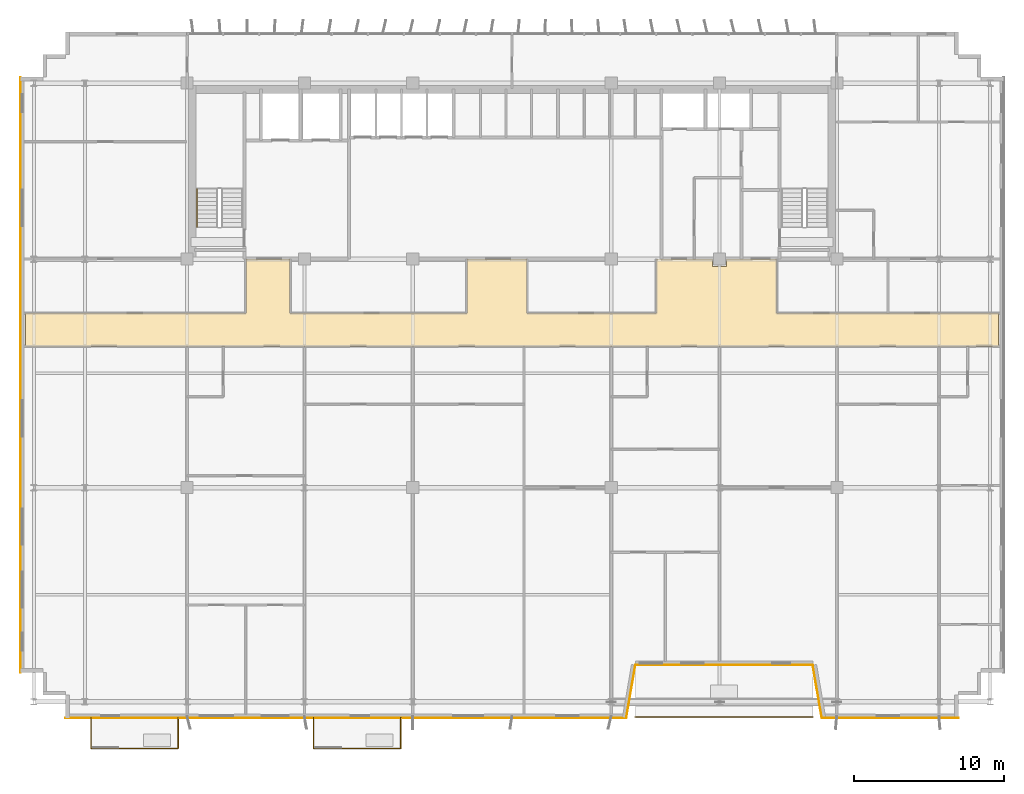
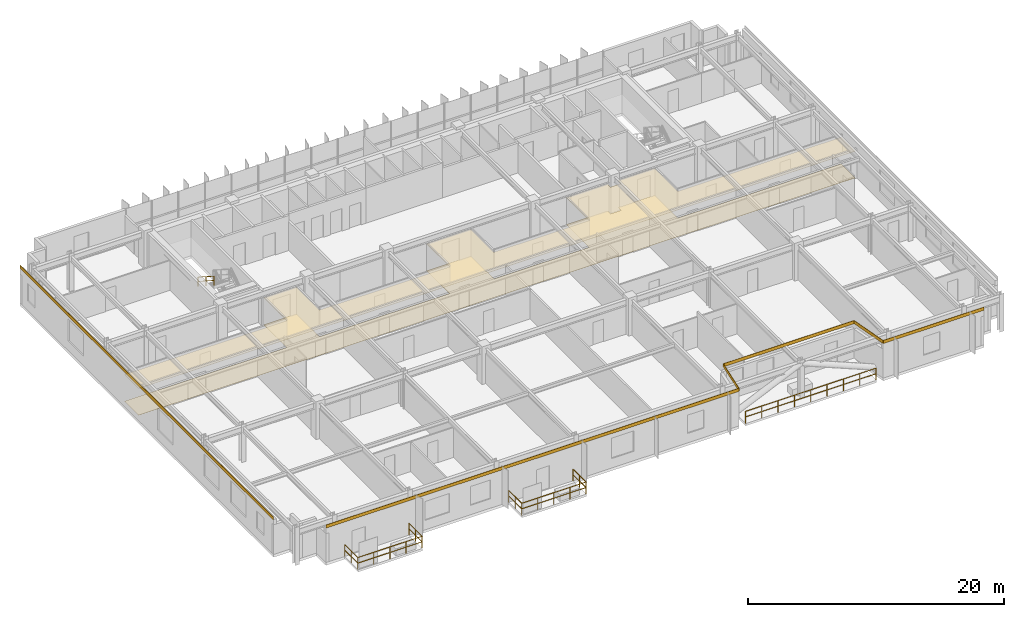
# One storey, part 20 of 22: 8 coverings, 8 railings.
"""IFC4 building model written with IfcOpenShell, lengths in metres."""

from ifc_helpers import new_model, si_unit, direction, frame, origin, origin_2d, place, context, subcontext, project, spatial, polyline, rectangle, outline, extrude, source, transform, mapped, material, layer, layer_set, type_object, element, save


model = new_model("IFC4")

# Units and contexts
model_context = context("Model", 3, precision=1e-05, world=origin(), true_north=direction((0.0, 1.0)))
body_context = subcontext(model_context, "Body", "Model", "MODEL_VIEW")
ifc_project = project(units=[si_unit("LENGTHUNIT", "METRE"), si_unit("AREAUNIT", "SQUARE_METRE"), si_unit("VOLUMEUNIT", "CUBIC_METRE"), si_unit("PLANEANGLEUNIT", "RADIAN"), si_unit("MASSUNIT", "GRAM", prefix="KILO")], contexts=[model_context])

# Site, building, storey
site_placement = place(None, origin())
site = spatial("IfcSite", under=ifc_project, at=site_placement, CompositionType="ELEMENT")
building_placement = place(site_placement, origin())
building = spatial("IfcBuilding", under=site, at=building_placement, Name="Trelvane Seafront Commons", CompositionType="ELEMENT")
storey_placement = place(building_placement, frame((0.0, 0.0, 121.300048828125)))
storey = spatial("IfcBuildingStorey", under=building, at=storey_placement, Name="L31", CompositionType="ELEMENT", Elevation=121.300048828125)

# Coverings
ifc_material_1 = material(Name="Acoustic Mineral Fibre Ceiling")
ifc_layer_1 = layer(ifc_material_1, 0.02490234375, Name="ARCH-COV-CEIL25")
ifc_layer_set_1 = layer_set([ifc_layer_1], Name="Acoustic Mineral Fibre Ceiling")
covering_type_1 = type_object("IfcCoveringType", Name="ARCH-COV-CEIL25", PredefinedType="CEILING", material=ifc_layer_set_1)
covering_1_placement = place(storey_placement, frame((0.0, 0.0, 2.550048828125)))
element("IfcCovering", 1, at=covering_1_placement, inside=storey, type_object=covering_type_1, Name="COV-CEIL-L31-14", PredefinedType="CEILING", context=body_context, shape_type="SweptSolid", body=[
    extrude(outline(polyline([(51.47998046875, 33.39990234375), (51.47998046875, 32.919921875), (50.52001953125, 32.919921875), (50.52001953125, 33.39990234375), (46.800048828125, 33.39990234375), (46.800048828125, 29.800048828125), (38.199951171875, 29.800048828125), (38.199951171875, 33.39990234375), (34.199951171875, 33.39990234375), (34.199951171875, 29.800048828125), (22.449951171875, 29.800048828125), (22.449951171875, 33.39990234375), (19.5, 33.39990234375), (19.5, 29.800048828125), (4.85009765625, 29.800048828125), (4.85009765625, 27.60009765625), (69.550048828125, 27.60009765625), (69.550048828125, 29.800048828125), (54.800048828125, 29.800048828125), (54.800048828125, 33.39990234375), (51.47998046875, 33.39990234375)])), origin(), (0.0, 0.0, 1.0), 0.02490234375),
])
ifc_material_2 = material(Name="Polished Terrazzo Finish")
ifc_layer_2 = layer(ifc_material_2, 0.02001953125, Name="ARCH-COV-FLOR20")
ifc_layer_set_2 = layer_set([ifc_layer_2], Name="Polished Terrazzo Finish")
covering_type_2 = type_object("IfcCoveringType", Name="ARCH-COV-FLOR20", PredefinedType="FLOORING", material=ifc_layer_set_2)
covering_2_placement = place(storey_placement, origin())
element("IfcCovering", 2, at=covering_2_placement, inside=storey, type_object=covering_type_2, Name="COV-FLOR-L31-14", PredefinedType="FLOORING", context=body_context, shape_type="SweptSolid", body=[
    extrude(outline(polyline([(51.47998046875, 33.39990234375), (51.47998046875, 32.919921875), (50.52001953125, 32.919921875), (50.52001953125, 33.39990234375), (46.800048828125, 33.39990234375), (46.800048828125, 29.800048828125), (38.199951171875, 29.800048828125), (38.199951171875, 33.39990234375), (34.199951171875, 33.39990234375), (34.199951171875, 29.800048828125), (22.449951171875, 29.800048828125), (22.449951171875, 33.39990234375), (19.5, 33.39990234375), (19.5, 29.800048828125), (4.85009765625, 29.800048828125), (4.85009765625, 27.60009765625), (69.550048828125, 27.60009765625), (69.550048828125, 29.800048828125), (54.800048828125, 29.800048828125), (54.800048828125, 33.39990234375), (51.47998046875, 33.39990234375)])), origin(), (0.0, 0.0, 1.0), 0.02001953125),
])

# Railings
ifc_material_3 = material(Name="Stainless steel balustrade", Category="steel")
railing_type_1 = type_object("IfcRailingType", Name="ARCH-RAIL-BAL1150", PredefinedType="BALUSTRADE", material=ifc_material_3)
railing_1_placement = place(storey_placement, frame((45.39990234375, 2.9599609375, 0.0)))
element("IfcRailing", 3, at=railing_1_placement, inside=storey, type_object=railing_type_1, Name="RL-L31-TR0-01", PredefinedType="BALUSTRADE", context=body_context, shape_type="SweptSolid", body=[
    extrude(rectangle(XDim=0.048095703125, YDim=0.048095703125, at=origin_2d()), frame((0.0, 0.0, 1.1259765625), z_axis=(1.0, 0.0, 0.0), x_axis=(0.0, 1.0, 0.0)), (0.0, 0.0, 1.0), 11.800048828125),
    extrude(rectangle(XDim=0.048095703125, YDim=0.048095703125, at=origin_2d()), frame((0.0, 0.0, 0.597900390625), z_axis=(1.0, 0.0, 0.0), x_axis=(0.0, 1.0, 0.0)), (0.0, 0.0, 1.0), 11.800048828125),
    extrude(rectangle(XDim=0.0419921875, YDim=0.0419921875, at=origin_2d()), origin(), (0.0, 0.0, 1.0), 1.1259765625),
    extrude(rectangle(XDim=0.0419921875, YDim=0.0419921875, at=origin_2d()), frame((1.47509765625, 0.0, 0.0)), (0.0, 0.0, 1.0), 1.1259765625),
    extrude(rectangle(XDim=0.0419921875, YDim=0.0419921875, at=origin_2d()), frame((2.949951171875, 0.0, 0.0)), (0.0, 0.0, 1.0), 1.1259765625),
    extrude(rectangle(XDim=0.0419921875, YDim=0.0419921875, at=origin_2d()), frame((4.425048828125, 0.0, 0.0)), (0.0, 0.0, 1.0), 1.1259765625),
    extrude(rectangle(XDim=0.0419921875, YDim=0.0419921875, at=origin_2d()), frame((5.89990234375, 0.0, 0.0)), (0.0, 0.0, 1.0), 1.1259765625),
    extrude(rectangle(XDim=0.0419921875, YDim=0.0419921875, at=origin_2d()), frame((7.375, 0.0, 0.0)), (0.0, 0.0, 1.0), 1.1259765625),
    extrude(rectangle(XDim=0.0419921875, YDim=0.0419921875, at=origin_2d()), frame((8.85009765625, 0.0, 0.0)), (0.0, 0.0, 1.0), 1.1259765625),
    extrude(rectangle(XDim=0.0419921875, YDim=0.0419921875, at=origin_2d()), frame((10.324951171875, 0.0, 0.0)), (0.0, 0.0, 1.0), 1.1259765625),
    extrude(rectangle(XDim=0.0419921875, YDim=0.0419921875, at=origin_2d()), frame((11.800048828125, 0.0, 0.0)), (0.0, 0.0, 1.0), 1.1259765625),
])
railing_2_placement = place(storey_placement, frame((9.199951171875, 2.89990234375, 0.0)))
element("IfcRailing", 4, at=railing_2_placement, inside=storey, type_object=railing_type_1, Name="RL-L31-BAL0-01", PredefinedType="BALUSTRADE", context=body_context, shape_type="SweptSolid", body=[
    extrude(rectangle(XDim=0.048095703125, YDim=0.048095703125, at=origin_2d()), frame((0.0, 0.0, 1.1259765625), z_axis=(0.0, -1.0, 0.0), x_axis=(1.0, 0.0, 0.0)), (0.0, 0.0, 1.0), 2.039794921875),
    extrude(rectangle(XDim=0.048095703125, YDim=0.048095703125, at=origin_2d()), frame((0.0, 0.0, 0.597900390625), z_axis=(0.0, -1.0, 0.0), x_axis=(1.0, 0.0, 0.0)), (0.0, 0.0, 1.0), 2.039794921875),
    extrude(rectangle(XDim=0.0419921875, YDim=0.0419921875, at=origin_2d()), origin(), (0.0, 0.0, 1.0), 1.1259765625),
    extrude(rectangle(XDim=0.0419921875, YDim=0.0419921875, at=origin_2d()), frame((0.0, -1.02001953125, 0.0)), (0.0, 0.0, 1.0), 1.1259765625),
    extrude(rectangle(XDim=0.0419921875, YDim=0.0419921875, at=origin_2d()), frame((0.0, -2.039794921875, 0.0)), (0.0, 0.0, 1.0), 1.1259765625),
])
railing_3_placement = place(storey_placement, frame((9.199951171875, 0.860107421875, 0.0)))
element("IfcRailing", 5, at=railing_3_placement, inside=storey, type_object=railing_type_1, Name="RL-L31-BAL0-02", PredefinedType="BALUSTRADE", context=body_context, shape_type="SweptSolid", body=[
    extrude(rectangle(XDim=0.048095703125, YDim=0.048095703125, at=origin_2d()), frame((0.0, 0.0, 1.1259765625), z_axis=(1.0, 0.0, 0.0), x_axis=(0.0, 1.0, 0.0)), (0.0, 0.0, 1.0), 5.800048828125),
    extrude(rectangle(XDim=0.048095703125, YDim=0.048095703125, at=origin_2d()), frame((0.0, 0.0, 0.597900390625), z_axis=(1.0, 0.0, 0.0), x_axis=(0.0, 1.0, 0.0)), (0.0, 0.0, 1.0), 5.800048828125),
    extrude(rectangle(XDim=0.0419921875, YDim=0.0419921875, at=origin_2d()), origin(), (0.0, 0.0, 1.0), 1.1259765625),
    extrude(rectangle(XDim=0.0419921875, YDim=0.0419921875, at=origin_2d()), frame((1.449951171875, 0.0, 0.0)), (0.0, 0.0, 1.0), 1.1259765625),
    extrude(rectangle(XDim=0.0419921875, YDim=0.0419921875, at=origin_2d()), frame((2.89990234375, 0.0, 0.0)), (0.0, 0.0, 1.0), 1.1259765625),
    extrude(rectangle(XDim=0.0419921875, YDim=0.0419921875, at=origin_2d()), frame((4.35009765625, 0.0, 0.0)), (0.0, 0.0, 1.0), 1.1259765625),
    extrude(rectangle(XDim=0.0419921875, YDim=0.0419921875, at=origin_2d()), frame((5.800048828125, 0.0, 0.0)), (0.0, 0.0, 1.0), 1.1259765625),
])
railing_4_placement = place(storey_placement, frame((15.0, 0.860107421875, 0.0)))
element("IfcRailing", 6, at=railing_4_placement, inside=storey, type_object=railing_type_1, Name="RL-L31-BAL0-03", PredefinedType="BALUSTRADE", context=body_context, shape_type="SweptSolid", body=[
    extrude(rectangle(XDim=0.048095703125, YDim=0.048095703125, at=origin_2d()), frame((0.0, 0.0, 1.1259765625), z_axis=(0.0, 1.0, 0.0), x_axis=(-1.0, 0.0, 0.0)), (0.0, 0.0, 1.0), 2.039794921875),
    extrude(rectangle(XDim=0.048095703125, YDim=0.048095703125, at=origin_2d()), frame((0.0, 0.0, 0.597900390625), z_axis=(0.0, 1.0, 0.0), x_axis=(-1.0, 0.0, 0.0)), (0.0, 0.0, 1.0), 2.039794921875),
    extrude(rectangle(XDim=0.0419921875, YDim=0.0419921875, at=origin_2d()), origin(), (0.0, 0.0, 1.0), 1.1259765625),
    extrude(rectangle(XDim=0.0419921875, YDim=0.0419921875, at=origin_2d()), frame((0.0, 1.02001953125, 0.0)), (0.0, 0.0, 1.0), 1.1259765625),
    extrude(rectangle(XDim=0.0419921875, YDim=0.0419921875, at=origin_2d()), frame((0.0, 2.039794921875, 0.0)), (0.0, 0.0, 1.0), 1.1259765625),
])
railing_5_placement = place(storey_placement, frame((24.0, 2.89990234375, 0.0)))
element("IfcRailing", 7, at=railing_5_placement, inside=storey, type_object=railing_type_1, Name="RL-L31-BAL1-01", PredefinedType="BALUSTRADE", context=body_context, shape_type="SweptSolid", body=[
    extrude(rectangle(XDim=0.048095703125, YDim=0.048095703125, at=origin_2d()), frame((0.0, 0.0, 1.1259765625), z_axis=(0.0, -1.0, 0.0), x_axis=(1.0, 0.0, 0.0)), (0.0, 0.0, 1.0), 2.039794921875),
    extrude(rectangle(XDim=0.048095703125, YDim=0.048095703125, at=origin_2d()), frame((0.0, 0.0, 0.597900390625), z_axis=(0.0, -1.0, 0.0), x_axis=(1.0, 0.0, 0.0)), (0.0, 0.0, 1.0), 2.039794921875),
    extrude(rectangle(XDim=0.0419921875, YDim=0.0419921875, at=origin_2d()), origin(), (0.0, 0.0, 1.0), 1.1259765625),
    extrude(rectangle(XDim=0.0419921875, YDim=0.0419921875, at=origin_2d()), frame((0.0, -1.02001953125, 0.0)), (0.0, 0.0, 1.0), 1.1259765625),
    extrude(rectangle(XDim=0.0419921875, YDim=0.0419921875, at=origin_2d()), frame((0.0, -2.039794921875, 0.0)), (0.0, 0.0, 1.0), 1.1259765625),
])
railing_6_placement = place(storey_placement, frame((24.0, 0.860107421875, 0.0)))
element("IfcRailing", 8, at=railing_6_placement, inside=storey, type_object=railing_type_1, Name="RL-L31-BAL1-02", PredefinedType="BALUSTRADE", context=body_context, shape_type="SweptSolid", body=[
    extrude(rectangle(XDim=0.048095703125, YDim=0.048095703125, at=origin_2d()), frame((0.0, 0.0, 1.1259765625), z_axis=(1.0, 0.0, 0.0), x_axis=(0.0, 1.0, 0.0)), (0.0, 0.0, 1.0), 5.800048828125),
    extrude(rectangle(XDim=0.048095703125, YDim=0.048095703125, at=origin_2d()), frame((0.0, 0.0, 0.597900390625), z_axis=(1.0, 0.0, 0.0), x_axis=(0.0, 1.0, 0.0)), (0.0, 0.0, 1.0), 5.800048828125),
    extrude(rectangle(XDim=0.0419921875, YDim=0.0419921875, at=origin_2d()), origin(), (0.0, 0.0, 1.0), 1.1259765625),
    extrude(rectangle(XDim=0.0419921875, YDim=0.0419921875, at=origin_2d()), frame((1.449951171875, 0.0, 0.0)), (0.0, 0.0, 1.0), 1.1259765625),
    extrude(rectangle(XDim=0.0419921875, YDim=0.0419921875, at=origin_2d()), frame((2.89990234375, 0.0, 0.0)), (0.0, 0.0, 1.0), 1.1259765625),
    extrude(rectangle(XDim=0.0419921875, YDim=0.0419921875, at=origin_2d()), frame((4.35009765625, 0.0, 0.0)), (0.0, 0.0, 1.0), 1.1259765625),
    extrude(rectangle(XDim=0.0419921875, YDim=0.0419921875, at=origin_2d()), frame((5.800048828125, 0.0, 0.0)), (0.0, 0.0, 1.0), 1.1259765625),
])
railing_7_placement = place(storey_placement, frame((29.800048828125, 0.860107421875, 0.0)))
element("IfcRailing", 9, at=railing_7_placement, inside=storey, type_object=railing_type_1, Name="RL-L31-BAL1-03", PredefinedType="BALUSTRADE", context=body_context, shape_type="SweptSolid", body=[
    extrude(rectangle(XDim=0.048095703125, YDim=0.048095703125, at=origin_2d()), frame((0.0, 0.0, 1.1259765625), z_axis=(0.0, 1.0, 0.0), x_axis=(-1.0, 0.0, 0.0)), (0.0, 0.0, 1.0), 2.039794921875),
    extrude(rectangle(XDim=0.048095703125, YDim=0.048095703125, at=origin_2d()), frame((0.0, 0.0, 0.597900390625), z_axis=(0.0, 1.0, 0.0), x_axis=(-1.0, 0.0, 0.0)), (0.0, 0.0, 1.0), 2.039794921875),
    extrude(rectangle(XDim=0.0419921875, YDim=0.0419921875, at=origin_2d()), origin(), (0.0, 0.0, 1.0), 1.1259765625),
    extrude(rectangle(XDim=0.0419921875, YDim=0.0419921875, at=origin_2d()), frame((0.0, 1.02001953125, 0.0)), (0.0, 0.0, 1.0), 1.1259765625),
    extrude(rectangle(XDim=0.0419921875, YDim=0.0419921875, at=origin_2d()), frame((0.0, 2.039794921875, 0.0)), (0.0, 0.0, 1.0), 1.1259765625),
])
railing_type_2 = type_object("IfcRailingType", Name="ARCH-SRL-HAND", PredefinedType="HANDRAIL", material=ifc_material_3)
railing_8_placement = place(storey_placement, frame((16.25, 38.070068359375, 1.97998046875)))
element("IfcRailing", 10, at=railing_8_placement, inside=storey, type_object=railing_type_2, Name="L31 ST-1 stair handrail 2", PredefinedType="HANDRAIL", context=body_context, shape_type="SweptSolid", body=[
    extrude(rectangle(XDim=0.048095703125, YDim=0.048095703125, at=origin_2d()), frame((0.0, 0.0, 0.8759765625), z_axis=(0.0, -0.841199657755, 0.540724639528), x_axis=(1.0, 0.0, 0.0)), (0.0, 0.0, 1.0), 2.995849609375),
    extrude(rectangle(XDim=0.048095703125, YDim=0.048095703125, at=origin_2d()), frame((0.0, 0.0, 0.468017578125), z_axis=(0.0, -0.841199657755, 0.540724639528), x_axis=(1.0, 0.0, 0.0)), (0.0, 0.0, 1.0), 2.995849609375),
    extrude(rectangle(XDim=0.0419921875, YDim=0.0419921875, at=origin_2d()), origin(), (0.0, 0.0, 1.0), 0.8759765625),
    extrude(rectangle(XDim=0.0419921875, YDim=0.0419921875, at=origin_2d()), frame((0.0, -1.260009765625, 0.81005859375)), (0.0, 0.0, 1.0), 0.8759765625),
    extrude(rectangle(XDim=0.0419921875, YDim=0.0419921875, at=origin_2d()), frame((0.0, -2.52001953125, 1.619873046875)), (0.0, 0.0, 1.0), 0.8759765625),
])

# Coverings
ifc_material_4 = material(Name="Anodised pale-silver aluminium", Category="aluminium")
ifc_layer_3 = layer(ifc_material_4, 0.034912109375, Name="ARCH-COV-CLAD35")
ifc_layer_set_3 = layer_set([ifc_layer_3], Name="Anodised pale-silver aluminium")
covering_type_3 = type_object("IfcCoveringType", Name="ARCH-COV-CLAD35", PredefinedType="CLADDING", material=ifc_layer_set_3)
shared_shape_1 = source(origin(), body_context, "Body", "SweptSolid", [
    extrude(rectangle(XDim=39.60009765625, YDim=0.034912109375, at=origin_2d()), origin(), (0.0, 0.0, 1.0), 0.300048828125),
])
covering_3_placement = place(storey_placement, frame((4.5, 25.699951171875, 3.2998046875), z_axis=(0.0, 0.0, 1.0), x_axis=(0.0, 1.0, 0.0)))
element("IfcCovering", 11, at=covering_3_placement, inside=storey, type_object=covering_type_3, Name="CLD-L31-00124", PredefinedType="CLADDING", context=body_context, shape_type="MappedRepresentation", body=[
    mapped(shared_shape_1, transform((0.0, 0.0, 0.0), x_axis=(1.0, 0.0, 0.0), y_axis=(0.0, 1.0, 0.0), z_axis=(0.0, 0.0, 1.0), scale=1.0)),
])
shared_shape_2 = source(origin(), body_context, "Body", "SweptSolid", [
    extrude(rectangle(XDim=37.300048828125, YDim=0.034912109375, at=origin_2d()), origin(), (0.0, 0.0, 1.0), 0.300048828125),
])
covering_4_placement = place(storey_placement, frame((26.14990234375, 2.89990234375, 3.2998046875), z_axis=(0.0, 0.0, 1.0), x_axis=(-1.0, 0.0, 0.0)))
element("IfcCovering", 12, at=covering_4_placement, inside=storey, type_object=covering_type_3, Name="CLD-L31-00130", PredefinedType="CLADDING", context=body_context, shape_type="MappedRepresentation", body=[
    mapped(shared_shape_2, transform((0.0, 0.0, 0.0), x_axis=(1.0, 0.0, 0.0), y_axis=(0.0, 1.0, 0.0), z_axis=(0.0, 0.0, 1.0), scale=1.0)),
])
shared_shape_3 = source(origin(), body_context, "Body", "SweptSolid", [
    extrude(rectangle(XDim=3.551025390625, YDim=0.034912109375, at=origin_2d()), origin(), (0.0, 0.0, 1.0), 0.300048828125),
])
for number, where, z_axis, x_axis, name in (
    (13, (57.5, 4.64990234375, 3.2998046875), (0.0, 0.0, 1.0), (-0.168964184077, 0.985622191562, 0.0), "CLD-L31-00127"),
    (14, (45.10009765625, 4.64990234375, 3.2998046875), (0.0, 0.0, 1.0), (-0.168964184077, -0.985622191562, 0.0), "CLD-L31-00129"),
):
    element("IfcCovering", number, at=place(storey_placement, frame(where, z_axis=z_axis, x_axis=x_axis)), inside=storey, type_object=covering_type_3, Name=name, PredefinedType="CLADDING", context=body_context, shape_type="MappedRepresentation", body=[
        mapped(shared_shape_3, transform((0.0, 0.0, 0.0), x_axis=(1.0, 0.0, 0.0), y_axis=(0.0, 1.0, 0.0), z_axis=(0.0, 0.0, 1.0), scale=1.0)),
    ])
shared_shape_4 = source(origin(), body_context, "Body", "SweptSolid", [
    extrude(rectangle(XDim=11.800048828125, YDim=0.034912109375, at=origin_2d()), origin(), (0.0, 0.0, 1.0), 0.300048828125),
])
covering_5_placement = place(storey_placement, frame((51.300048828125, 6.39990234375, 3.2998046875), z_axis=(0.0, 0.0, 1.0), x_axis=(-1.0, 0.0, 0.0)))
element("IfcCovering", 15, at=covering_5_placement, inside=storey, type_object=covering_type_3, Name="CLD-L31-00128", PredefinedType="CLADDING", context=body_context, shape_type="MappedRepresentation", body=[
    mapped(shared_shape_4, transform((0.0, 0.0, 0.0), x_axis=(1.0, 0.0, 0.0), y_axis=(0.0, 1.0, 0.0), z_axis=(0.0, 0.0, 1.0), scale=1.0)),
])
shared_shape_5 = source(origin(), body_context, "Body", "SweptSolid", [
    extrude(rectangle(XDim=9.10009765625, YDim=0.034912109375, at=origin_2d()), origin(), (0.0, 0.0, 1.0), 0.300048828125),
])
covering_6_placement = place(storey_placement, frame((62.35009765625, 2.89990234375, 3.2998046875), z_axis=(0.0, 0.0, 1.0), x_axis=(-1.0, 0.0, 0.0)))
element("IfcCovering", 16, at=covering_6_placement, inside=storey, type_object=covering_type_3, Name="CLD-L31-00126", PredefinedType="CLADDING", context=body_context, shape_type="MappedRepresentation", body=[
    mapped(shared_shape_5, transform((0.0, 0.0, 0.0), x_axis=(1.0, 0.0, 0.0), y_axis=(0.0, 1.0, 0.0), z_axis=(0.0, 0.0, 1.0), scale=1.0)),
])

save(model, "model.ifc")
